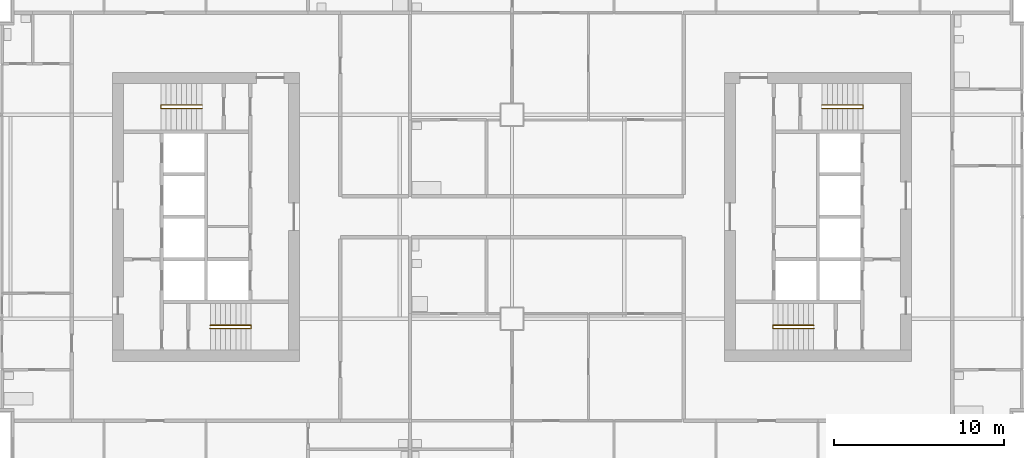
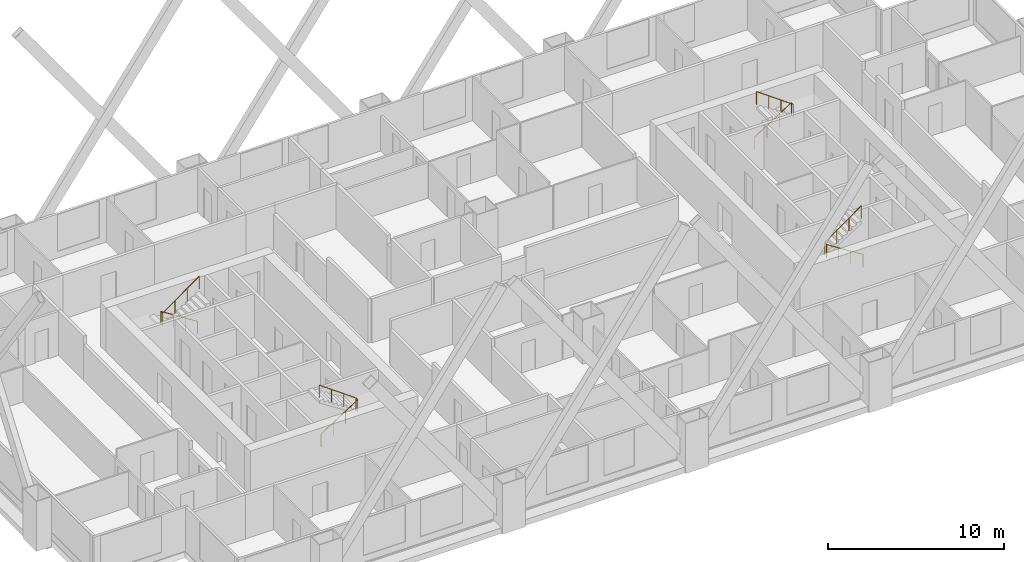
# One storey, part 10 of 11: 4 railings.
"""IFC4 building model written with IfcOpenShell, lengths in metres."""

from ifc_helpers import new_model, si_unit, direction, frame, origin, origin_2d, place, context, subcontext, project, spatial, circle, extrude, material, type_object, element, save


model = new_model("IFC4")

# Units and contexts
model_context = context("Model", 3, precision=1e-05, world=origin(), true_north=direction((0.0, 1.0)))
body_context = subcontext(model_context, "Body", "Model", "MODEL_VIEW")
ifc_project = project(units=[si_unit("LENGTHUNIT", "METRE"), si_unit("AREAUNIT", "SQUARE_METRE"), si_unit("VOLUMEUNIT", "CUBIC_METRE"), si_unit("PLANEANGLEUNIT", "RADIAN"), si_unit("MASSUNIT", "GRAM", prefix="KILO")], contexts=[model_context])

# Site, building, storey
site_placement = place(None, origin())
site = spatial("IfcSite", under=ifc_project, at=site_placement, CompositionType="ELEMENT")
building_placement = place(site_placement, origin())
building = spatial("IfcBuilding", under=site, at=building_placement, Name="Kitamizu Gate Tower and Museum", CompositionType="ELEMENT")
storey_placement = place(building_placement, frame((0.0, 0.0, 113.85009765625)))
storey = spatial("IfcBuildingStorey", under=building, at=storey_placement, Name="L29", CompositionType="ELEMENT", Elevation=113.85009765625)

# Railings
ifc_material = material(Name="Stainless steel SUS304", Category="steel")
railing_type = type_object("IfcRailingType", Name="Stair handrail 900", PredefinedType="HANDRAIL", material=ifc_material)
railing_1_placement = place(storey_placement, frame((18.25, 23.425048828125, 0.191650390625)))
element("IfcRailing", 1, at=railing_1_placement, inside=storey, type_object=railing_type, Name="Stair handrail ST1", PredefinedType="HANDRAIL", context=body_context, shape_type="SweptSolid", body=[
    extrude(circle(Radius=0.02392578125, at=origin_2d()), frame((0.0, 0.0, 0.8759765625), z_axis=(0.84270706373, 0.0, 0.538372366248), x_axis=(0.0, 1.0, 0.0)), (0.0, 0.0, 1.0), 2.847900390625),
    extrude(circle(Radius=0.02392578125, at=origin_2d()), frame((2.39990234375, 0.0, 2.4091796875), z_axis=(0.0, 1.0, 0.0), x_axis=(-1.0, 0.0, 0.0)), (0.0, 0.0, 1.0), 0.199951171875),
    extrude(circle(Radius=0.02392578125, at=origin_2d()), frame((2.39990234375, 0.199951171875, 2.4091796875), z_axis=(-0.811988456656, 0.0, 0.583673492852), x_axis=(0.0, -1.0, 0.0)), (0.0, 0.0, 1.0), 2.95556640625),
    extrude(circle(Radius=0.02099609375, at=origin_2d()), origin(), (0.0, 0.0, 1.0), 0.851806640625),
    extrude(circle(Radius=0.02099609375, at=origin_2d()), frame((0.800048828125, 0.0, 0.510986328125)), (0.0, 0.0, 1.0), 0.851806640625),
    extrude(circle(Radius=0.02099609375, at=origin_2d()), frame((1.599853515625, 0.0, 1.022216796875)), (0.0, 0.0, 1.0), 0.851806640625),
    extrude(circle(Radius=0.02099609375, at=origin_2d()), frame((2.39990234375, 0.0, 1.533203125)), (0.0, 0.0, 1.0), 0.851806640625),
    extrude(circle(Radius=0.02099609375, at=origin_2d()), frame((2.39990234375, 0.199951171875, 1.533203125)), (0.0, 0.0, 1.0), 0.851806640625),
    extrude(circle(Radius=0.02099609375, at=origin_2d()), frame((1.599853515625, 0.199951171875, 2.108154296875)), (0.0, 0.0, 1.0), 0.851806640625),
    extrude(circle(Radius=0.02099609375, at=origin_2d()), frame((0.800048828125, 0.199951171875, 2.683349609375)), (0.0, 0.0, 1.0), 0.851806640625),
    extrude(circle(Radius=0.02099609375, at=origin_2d()), frame((0.0, 0.199951171875, 3.25830078125)), (0.0, 0.0, 1.0), 0.851806640625),
])
railing_2_placement = place(storey_placement, frame((17.75, 36.574951171875, 0.191650390625)))
element("IfcRailing", 2, at=railing_2_placement, inside=storey, type_object=railing_type, Name="Stair handrail ST2", PredefinedType="HANDRAIL", context=body_context, shape_type="SweptSolid", body=[
    extrude(circle(Radius=0.02392578125, at=origin_2d()), frame((0.0, 0.0, 0.8759765625), z_axis=(-0.84270706373, 0.0, 0.538372366248), x_axis=(0.0, -1.0, 0.0)), (0.0, 0.0, 1.0), 2.847900390625),
    extrude(circle(Radius=0.02392578125, at=origin_2d()), frame((-2.39990234375, 0.0, 2.4091796875), z_axis=(0.0, -1.0, 0.0), x_axis=(1.0, 0.0, 0.0)), (0.0, 0.0, 1.0), 0.199951171875),
    extrude(circle(Radius=0.02392578125, at=origin_2d()), frame((-2.39990234375, -0.199951171875, 2.4091796875), z_axis=(0.811988456656, 0.0, 0.583673492852), x_axis=(0.0, 1.0, 0.0)), (0.0, 0.0, 1.0), 2.95556640625),
    extrude(circle(Radius=0.02099609375, at=origin_2d()), origin(), (0.0, 0.0, 1.0), 0.851806640625),
    extrude(circle(Radius=0.02099609375, at=origin_2d()), frame((-0.800048828125, 0.0, 0.510986328125)), (0.0, 0.0, 1.0), 0.851806640625),
    extrude(circle(Radius=0.02099609375, at=origin_2d()), frame((-1.599853515625, 0.0, 1.022216796875)), (0.0, 0.0, 1.0), 0.851806640625),
    extrude(circle(Radius=0.02099609375, at=origin_2d()), frame((-2.39990234375, 0.0, 1.533203125)), (0.0, 0.0, 1.0), 0.851806640625),
    extrude(circle(Radius=0.02099609375, at=origin_2d()), frame((-2.39990234375, -0.199951171875, 1.533203125)), (0.0, 0.0, 1.0), 0.851806640625),
    extrude(circle(Radius=0.02099609375, at=origin_2d()), frame((-1.599853515625, -0.199951171875, 2.108154296875)), (0.0, 0.0, 1.0), 0.851806640625),
    extrude(circle(Radius=0.02099609375, at=origin_2d()), frame((-0.800048828125, -0.199951171875, 2.683349609375)), (0.0, 0.0, 1.0), 0.851806640625),
    extrude(circle(Radius=0.02099609375, at=origin_2d()), frame((0.0, -0.199951171875, 3.25830078125)), (0.0, 0.0, 1.0), 0.851806640625),
])
railing_3_placement = place(storey_placement, frame((53.75, 23.425048828125, 0.191650390625)))
element("IfcRailing", 3, at=railing_3_placement, inside=storey, type_object=railing_type, Name="Stair handrail ST3", PredefinedType="HANDRAIL", context=body_context, shape_type="SweptSolid", body=[
    extrude(circle(Radius=0.02392578125, at=origin_2d()), frame((0.0, 0.0, 0.8759765625), z_axis=(-0.84270706373, 0.0, 0.538372366248), x_axis=(0.0, -1.0, 0.0)), (0.0, 0.0, 1.0), 2.847900390625),
    extrude(circle(Radius=0.02392578125, at=origin_2d()), frame((-2.39990234375, 0.0, 2.4091796875), z_axis=(0.0, 1.0, 0.0), x_axis=(-1.0, 0.0, 0.0)), (0.0, 0.0, 1.0), 0.199951171875),
    extrude(circle(Radius=0.02392578125, at=origin_2d()), frame((-2.39990234375, 0.199951171875, 2.4091796875), z_axis=(0.811988456656, 0.0, 0.583673492852), x_axis=(0.0, 1.0, 0.0)), (0.0, 0.0, 1.0), 2.95556640625),
    extrude(circle(Radius=0.02099609375, at=origin_2d()), origin(), (0.0, 0.0, 1.0), 0.851806640625),
    extrude(circle(Radius=0.02099609375, at=origin_2d()), frame((-0.800048828125, 0.0, 0.510986328125)), (0.0, 0.0, 1.0), 0.851806640625),
    extrude(circle(Radius=0.02099609375, at=origin_2d()), frame((-1.599853515625, 0.0, 1.022216796875)), (0.0, 0.0, 1.0), 0.851806640625),
    extrude(circle(Radius=0.02099609375, at=origin_2d()), frame((-2.39990234375, 0.0, 1.533203125)), (0.0, 0.0, 1.0), 0.851806640625),
    extrude(circle(Radius=0.02099609375, at=origin_2d()), frame((-2.39990234375, 0.199951171875, 1.533203125)), (0.0, 0.0, 1.0), 0.851806640625),
    extrude(circle(Radius=0.02099609375, at=origin_2d()), frame((-1.599853515625, 0.199951171875, 2.108154296875)), (0.0, 0.0, 1.0), 0.851806640625),
    extrude(circle(Radius=0.02099609375, at=origin_2d()), frame((-0.800048828125, 0.199951171875, 2.683349609375)), (0.0, 0.0, 1.0), 0.851806640625),
    extrude(circle(Radius=0.02099609375, at=origin_2d()), frame((0.0, 0.199951171875, 3.25830078125)), (0.0, 0.0, 1.0), 0.851806640625),
])
railing_4_placement = place(storey_placement, frame((54.25, 36.574951171875, 0.191650390625)))
element("IfcRailing", 4, at=railing_4_placement, inside=storey, type_object=railing_type, Name="Stair handrail ST4", PredefinedType="HANDRAIL", context=body_context, shape_type="SweptSolid", body=[
    extrude(circle(Radius=0.02392578125, at=origin_2d()), frame((0.0, 0.0, 0.8759765625), z_axis=(0.84270706373, 0.0, 0.538372366248), x_axis=(0.0, 1.0, 0.0)), (0.0, 0.0, 1.0), 2.847900390625),
    extrude(circle(Radius=0.02392578125, at=origin_2d()), frame((2.39990234375, 0.0, 2.4091796875), z_axis=(0.0, -1.0, 0.0), x_axis=(1.0, 0.0, 0.0)), (0.0, 0.0, 1.0), 0.199951171875),
    extrude(circle(Radius=0.02392578125, at=origin_2d()), frame((2.39990234375, -0.199951171875, 2.4091796875), z_axis=(-0.811988456656, 0.0, 0.583673492852), x_axis=(0.0, -1.0, 0.0)), (0.0, 0.0, 1.0), 2.95556640625),
    extrude(circle(Radius=0.02099609375, at=origin_2d()), origin(), (0.0, 0.0, 1.0), 0.851806640625),
    extrude(circle(Radius=0.02099609375, at=origin_2d()), frame((0.800048828125, 0.0, 0.510986328125)), (0.0, 0.0, 1.0), 0.851806640625),
    extrude(circle(Radius=0.02099609375, at=origin_2d()), frame((1.599853515625, 0.0, 1.022216796875)), (0.0, 0.0, 1.0), 0.851806640625),
    extrude(circle(Radius=0.02099609375, at=origin_2d()), frame((2.39990234375, 0.0, 1.533203125)), (0.0, 0.0, 1.0), 0.851806640625),
    extrude(circle(Radius=0.02099609375, at=origin_2d()), frame((2.39990234375, -0.199951171875, 1.533203125)), (0.0, 0.0, 1.0), 0.851806640625),
    extrude(circle(Radius=0.02099609375, at=origin_2d()), frame((1.599853515625, -0.199951171875, 2.108154296875)), (0.0, 0.0, 1.0), 0.851806640625),
    extrude(circle(Radius=0.02099609375, at=origin_2d()), frame((0.800048828125, -0.199951171875, 2.683349609375)), (0.0, 0.0, 1.0), 0.851806640625),
    extrude(circle(Radius=0.02099609375, at=origin_2d()), frame((0.0, -0.199951171875, 3.25830078125)), (0.0, 0.0, 1.0), 0.851806640625),
])

save(model, "model.ifc")
